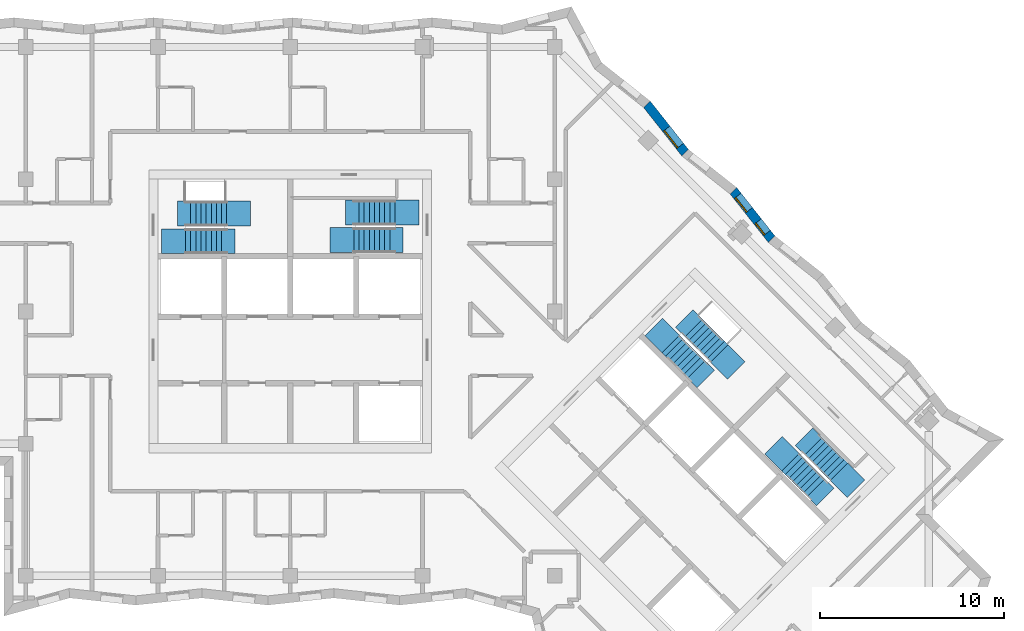
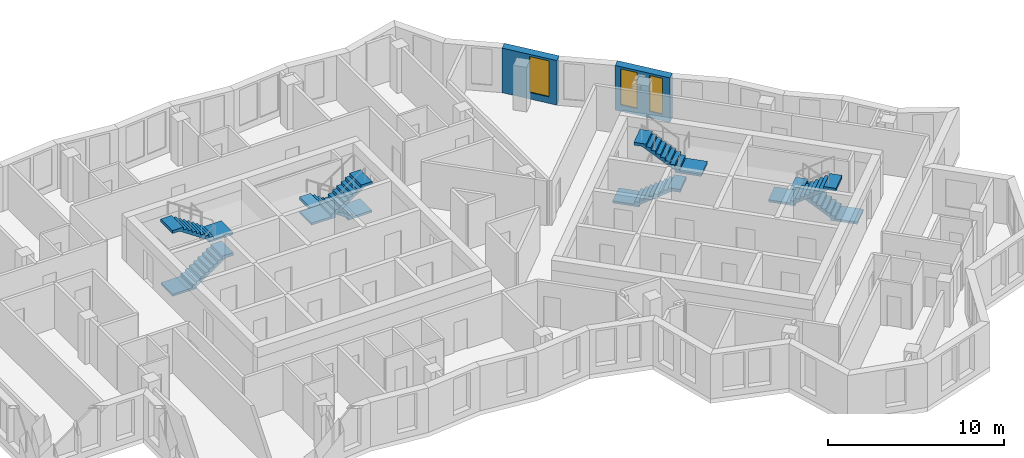
# One storey, part 10 of 12: 8 stair flights, 3 windows, 2 walls, 3 openings, 4 elements without a shape of their own.
"""IFC4 building model written with IfcOpenShell, lengths in metres."""

from ifc_helpers import new_model, si_unit, direction, frame, frame_2d, origin, place, context, subcontext, project, spatial, polyline, rectangle, outline, extrude, material, layer, layer_set, type_object, element, fill, aggregate, save


model = new_model("IFC4")

# Units and contexts
model_context = context("Model", 3, precision=1e-05, world=origin(), true_north=direction((0.0, 1.0)))
body_context = subcontext(model_context, "Body", "Model", "MODEL_VIEW")
ifc_project = project(units=[si_unit("LENGTHUNIT", "METRE"), si_unit("AREAUNIT", "SQUARE_METRE"), si_unit("VOLUMEUNIT", "CUBIC_METRE"), si_unit("PLANEANGLEUNIT", "RADIAN"), si_unit("MASSUNIT", "GRAM", prefix="KILO")], contexts=[model_context])

# Site, building, storey
site_placement = place(None, origin())
site = spatial("IfcSite", under=ifc_project, at=site_placement, CompositionType="ELEMENT")
building_placement = place(site_placement, origin())
building = spatial("IfcBuilding", under=site, at=building_placement, Name="Windrow Commons", CompositionType="ELEMENT")
storey_placement = place(building_placement, frame((0.0, 0.0, 199.8)))
storey = spatial("IfcBuildingStorey", under=building, at=storey_placement, Name="L54", CompositionType="ELEMENT", Elevation=199.8)

# Wall, openings, windows
ifc_material_1 = material(Name="Brick masonry, red clay brick", Category="masonry")
ifc_layer = layer(ifc_material_1, 0.5)
ifc_layer_set = layer_set([ifc_layer], Name="Brick facade wall 500")
wall_type = type_object("IfcWallType", Name="Brick facade wall 500", PredefinedType="SOLIDWALL", material=ifc_layer_set)
wall_1_placement = place(storey_placement, frame((91.0048, 61.5363, 0.0), z_axis=(0.0, 0.0, 1.0), x_axis=(-0.6198356984, 0.7847316147, 0.0)))
wall_1 = element("IfcWall", 1, at=wall_1_placement, inside=storey, type_object=wall_type, Name="Brick facade wall L54 12", PredefinedType="SOLIDWALL", context=body_context, shape_type="SweptSolid", body=[
    extrude(outline(polyline([(0.0293, -0.25), (3.383, -0.25), (3.3243, 0.25), (-0.0293, 0.25), (0.0293, -0.25)])), origin(), (0.0, 0.0, 1.0), 3.1),
])
opening_1_placement = place(wall_1_placement, frame((0.4165, 0.0, 0.45)))
opening_1 = element("IfcOpeningElement", 2, at=opening_1_placement, cuts=wall_1, Name="Opening W1N", PredefinedType="OPENING", context=body_context, shape_type="SweptSolid", body=[
    extrude(rectangle(XDim=0.8, YDim=2.5, at=frame_2d((0.4, 1.25))), frame((0.0, 0.26, 0.0), z_axis=(0.0, -1.0, 0.0), x_axis=(1.0, 0.0, 0.0)), (0.0, 0.0, 1.0), 0.52),
])
opening_2_placement = place(wall_1_placement, frame((1.9933, 0.0, 0.45)))
opening_2 = element("IfcOpeningElement", 3, at=opening_2_placement, cuts=wall_1, Name="Opening W1S", PredefinedType="OPENING", context=body_context, shape_type="SweptSolid", body=[
    extrude(rectangle(XDim=1.0, YDim=2.5, at=frame_2d((0.5, 1.25))), frame((0.0, 0.26, 0.0), z_axis=(0.0, -1.0, 0.0), x_axis=(1.0, 0.0, 0.0)), (0.0, 0.0, 1.0), 0.52),
])
ifc_material_2 = material(Name="Clear float glass in anodised aluminium frame", Category="aluminium")
window_type_1 = type_object("IfcWindowType", Name="Window W1N slit 800x2500", PartitioningType="SINGLE_PANEL", PredefinedType="WINDOW", material=ifc_material_2)
window_1_placement = place(opening_1_placement, origin())
window_1 = element("IfcWindow", 4, at=window_1_placement, inside=storey, type_object=window_type_1, Name="Window L54 12.1A", OverallHeight=2.5, OverallWidth=0.8, PartitioningType="SINGLE_PANEL", PredefinedType="WINDOW", context=body_context, shape_type="SweptSolid", body=[
    extrude(rectangle(XDim=0.8, YDim=2.5, at=frame_2d((0.4, 1.25))), frame((0.0, 0.18, 0.0), z_axis=(0.0, -1.0, 0.0), x_axis=(1.0, 0.0, 0.0)), (0.0, 0.0, 1.0), 0.06),
])
fill(opening_1, window_1)
ifc_material_3 = material(Name="Clear float glass in anodised aluminium frame", Category="aluminium")
window_type_2 = type_object("IfcWindowType", Name="Window W1S slit 1000x2500", PartitioningType="SINGLE_PANEL", PredefinedType="WINDOW", material=ifc_material_3)
window_2_placement = place(opening_2_placement, origin())
window_2 = element("IfcWindow", 5, at=window_2_placement, inside=storey, type_object=window_type_2, Name="Window L54 12.1B", OverallHeight=2.5, OverallWidth=1.0, PartitioningType="SINGLE_PANEL", PredefinedType="WINDOW", context=body_context, shape_type="SweptSolid", body=[
    extrude(rectangle(XDim=1.0, YDim=2.5, at=frame_2d((0.5, 1.25))), frame((0.0, 0.18, 0.0), z_axis=(0.0, -1.0, 0.0), x_axis=(1.0, 0.0, 0.0)), (0.0, 0.0, 1.0), 0.06),
])
fill(opening_2, window_2)

# Wall, opening, window
wall_2_placement = place(storey_placement, frame((86.2944, 66.2467, 0.0), z_axis=(0.0, 0.0, 1.0), x_axis=(-0.6198356984, 0.7847316147, 0.0)))
wall_2 = element("IfcWall", 6, at=wall_2_placement, inside=storey, type_object=wall_type, Name="Brick facade wall L54 14", PredefinedType="SOLIDWALL", context=body_context, shape_type="SweptSolid", body=[
    extrude(outline(polyline([(0.0293, -0.25), (3.383, -0.25), (3.3243, 0.25), (-0.0293, 0.25), (0.0293, -0.25)])), origin(), (0.0, 0.0, 1.0), 3.1),
])
opening_3_placement = place(wall_2_placement, frame((0.4488, 0.0, 0.45)))
opening_3 = element("IfcOpeningElement", 7, at=opening_3_placement, cuts=wall_2, Name="Opening W7E", PredefinedType="OPENING", context=body_context, shape_type="SweptSolid", body=[
    extrude(rectangle(XDim=1.2, YDim=2.5, at=frame_2d((0.6, 1.25))), frame((0.0, 0.26, 0.0), z_axis=(0.0, -1.0, 0.0), x_axis=(1.0, 0.0, 0.0)), (0.0, 0.0, 1.0), 0.52),
])
ifc_material_4 = material(Name="Clear float glass in anodised aluminium frame", Category="aluminium")
window_type_3 = type_object("IfcWindowType", Name="Window W7 notch 1200x2500", PartitioningType="SINGLE_PANEL", PredefinedType="WINDOW", material=ifc_material_4)
window_3_placement = place(opening_3_placement, origin())
window_3 = element("IfcWindow", 8, at=window_3_placement, inside=storey, type_object=window_type_3, Name="Window L54 14.1", OverallHeight=2.5, OverallWidth=1.2, PartitioningType="SINGLE_PANEL", PredefinedType="WINDOW", context=body_context, shape_type="SweptSolid", body=[
    extrude(rectangle(XDim=1.2, YDim=2.5, at=frame_2d((0.6, 1.25))), frame((0.0, 0.18, 0.0), z_axis=(0.0, -1.0, 0.0), x_axis=(1.0, 0.0, 0.0)), (0.0, 0.0, 1.0), 0.06),
])
fill(opening_3, window_3)

# Stair, stair flights
ifc_material_5 = material(Name="Concrete C40/50", Category="concrete")
stair_type = type_object("IfcStairType", Name="Core stair", PredefinedType="HALF_TURN_STAIR", material=ifc_material_5)
placement = place(storey_placement, origin())
stair_1 = element("IfcStair", 9, at=placement, inside=storey, type_object=stair_type, Name="L54 Exit stair A1 core A", PredefinedType="HALF_TURN_STAIR")
ifc_material_6 = material(Name="Concrete C40/50", Category="concrete")
stair_flight_type = type_object("IfcStairFlightType", Name="Core stair flight", PredefinedType="STRAIGHT", material=ifc_material_6)
stair_flight_1_placement = place(storey_placement, frame((59.1, 61.425, 0.0), z_axis=(0.0, 0.0, 1.0), x_axis=(1.0, 0.0, 0.0)))
stair_flight_1 = element("IfcStairFlight", 10, at=stair_flight_1_placement, type_object=stair_flight_type, Name="ST-A1 flight 1", NumberOfRisers=9, NumberOfTreads=8, PredefinedType="STRAIGHT", RiserHeight=0.188888889, TreadLength=0.28, context=body_context, shape_type="SweptSolid", body=[
    extrude(outline(polyline([(-1.3, -0.15), (-1.3, 0.0), (0.0, 0.0), (0.0, 0.1889), (0.28, 0.1889), (0.28, 0.3778), (0.56, 0.3778), (0.56, 0.5667), (0.84, 0.5667), (0.84, 0.7556), (1.12, 0.7556), (1.12, 0.9444), (1.4, 0.9444), (1.4, 1.1333), (1.68, 1.1333), (1.68, 1.3222), (1.96, 1.3222), (1.96, 1.5111), (2.24, 1.5111), (2.69, 1.5111), (2.69, 1.3111), (2.24, 1.3111), (2.24, 1.3302), (0.2682, 0.0), (0.2682, -0.15), (-1.3, -0.15)])), frame((0.0, 0.675, 0.0), z_axis=(0.0, -1.0, 0.0), x_axis=(1.0, 0.0, 0.0)), (0.0, 0.0, 1.0), 1.35),
])
stair_flight_2_placement = place(storey_placement, frame((61.34, 62.925, 1.7), z_axis=(0.0, 0.0, 1.0), x_axis=(-1.0, 0.0, 0.0)))
stair_flight_2 = element("IfcStairFlight", 11, at=stair_flight_2_placement, type_object=stair_flight_type, Name="ST-A1 flight 2", NumberOfRisers=9, NumberOfTreads=8, PredefinedType="STRAIGHT", RiserHeight=0.188888889, TreadLength=0.28, context=body_context, shape_type="SweptSolid", body=[
    extrude(outline(polyline([(-1.3, -0.15), (-1.3, 0.0), (0.0, 0.0), (0.0, 0.1889), (0.28, 0.1889), (0.28, 0.3778), (0.56, 0.3778), (0.56, 0.5667), (0.84, 0.5667), (0.84, 0.7556), (1.12, 0.7556), (1.12, 0.9444), (1.4, 0.9444), (1.4, 1.1333), (1.68, 1.1333), (1.68, 1.3222), (1.96, 1.3222), (1.96, 1.5111), (2.24, 1.5111), (2.69, 1.5111), (2.69, 1.3111), (2.24, 1.3111), (2.24, 1.3302), (0.2682, 0.0), (0.2682, -0.15), (-1.3, -0.15)])), frame((0.0, 0.675, 0.0), z_axis=(0.0, -1.0, 0.0), x_axis=(1.0, 0.0, 0.0)), (0.0, 0.0, 1.0), 1.35),
])
aggregate(stair_1, [stair_flight_1, stair_flight_2])

stair_2 = element("IfcStair", 12, at=placement, inside=storey, type_object=stair_type, Name="L54 Exit stair A2 core A", PredefinedType="HALF_TURN_STAIR")
stair_flight_3_placement = place(storey_placement, frame((70.5, 62.98, 0.0), z_axis=(0.0, 0.0, 1.0), x_axis=(-1.0, 0.0, 0.0)))
stair_flight_3 = element("IfcStairFlight", 13, at=stair_flight_3_placement, type_object=stair_flight_type, Name="ST-A2 flight 1", NumberOfRisers=9, NumberOfTreads=8, PredefinedType="STRAIGHT", RiserHeight=0.188888889, TreadLength=0.28, context=body_context, shape_type="SweptSolid", body=[
    extrude(outline(polyline([(-1.3, -0.15), (-1.3, 0.0), (0.0, 0.0), (0.0, 0.1889), (0.28, 0.1889), (0.28, 0.3778), (0.56, 0.3778), (0.56, 0.5667), (0.84, 0.5667), (0.84, 0.7556), (1.12, 0.7556), (1.12, 0.9444), (1.4, 0.9444), (1.4, 1.1333), (1.68, 1.1333), (1.68, 1.3222), (1.96, 1.3222), (1.96, 1.5111), (2.24, 1.5111), (2.69, 1.5111), (2.69, 1.3111), (2.24, 1.3111), (2.24, 1.3302), (0.2682, 0.0), (0.2682, -0.15), (-1.3, -0.15)])), frame((0.0, 0.675, 0.0), z_axis=(0.0, -1.0, 0.0), x_axis=(1.0, 0.0, 0.0)), (0.0, 0.0, 1.0), 1.35),
])
stair_flight_4_placement = place(storey_placement, frame((68.26, 61.48, 1.7), z_axis=(0.0, 0.0, 1.0), x_axis=(1.0, 0.0, 0.0)))
stair_flight_4 = element("IfcStairFlight", 14, at=stair_flight_4_placement, type_object=stair_flight_type, Name="ST-A2 flight 2", NumberOfRisers=9, NumberOfTreads=8, PredefinedType="STRAIGHT", RiserHeight=0.188888889, TreadLength=0.28, context=body_context, shape_type="SweptSolid", body=[
    extrude(outline(polyline([(-1.3, -0.15), (-1.3, 0.0), (0.0, 0.0), (0.0, 0.1889), (0.28, 0.1889), (0.28, 0.3778), (0.56, 0.3778), (0.56, 0.5667), (0.84, 0.5667), (0.84, 0.7556), (1.12, 0.7556), (1.12, 0.9444), (1.4, 0.9444), (1.4, 1.1333), (1.68, 1.1333), (1.68, 1.3222), (1.96, 1.3222), (1.96, 1.5111), (2.24, 1.5111), (2.69, 1.5111), (2.69, 1.3111), (2.24, 1.3111), (2.24, 1.3302), (0.2682, 0.0), (0.2682, -0.15), (-1.3, -0.15)])), frame((0.0, 0.675, 0.0), z_axis=(0.0, -1.0, 0.0), x_axis=(1.0, 0.0, 0.0)), (0.0, 0.0, 1.0), 1.35),
])
aggregate(stair_2, [stair_flight_3, stair_flight_4])

stair_3 = element("IfcStair", 15, at=placement, inside=storey, type_object=stair_type, Name="L54 Exit stair B1 core B", PredefinedType="HALF_TURN_STAIR")
stair_flight_5_placement = place(storey_placement, frame((85.5109, 55.8249, 0.0), z_axis=(0.0, 0.0, 1.0), x_axis=(0.7071067812, -0.7071067812, 0.0)))
stair_flight_5 = element("IfcStairFlight", 16, at=stair_flight_5_placement, type_object=stair_flight_type, Name="ST-B1 flight 1", NumberOfRisers=9, NumberOfTreads=8, PredefinedType="STRAIGHT", RiserHeight=0.188888889, TreadLength=0.28, context=body_context, shape_type="SweptSolid", body=[
    extrude(outline(polyline([(-1.3, -0.15), (-1.3, 0.0), (0.0, 0.0), (0.0, 0.1889), (0.28, 0.1889), (0.28, 0.3778), (0.56, 0.3778), (0.56, 0.5667), (0.84, 0.5667), (0.84, 0.7556), (1.12, 0.7556), (1.12, 0.9444), (1.4, 0.9444), (1.4, 1.1333), (1.68, 1.1333), (1.68, 1.3222), (1.96, 1.3222), (1.96, 1.5111), (2.24, 1.5111), (2.69, 1.5111), (2.69, 1.3111), (2.24, 1.3111), (2.24, 1.3302), (0.2682, 0.0), (0.2682, -0.15), (-1.3, -0.15)])), frame((0.0, 0.675, 0.0), z_axis=(0.0, -1.0, 0.0), x_axis=(1.0, 0.0, 0.0)), (0.0, 0.0, 1.0), 1.35),
])
stair_flight_6_placement = place(storey_placement, frame((88.1555, 55.3017, 1.7), z_axis=(0.0, 0.0, 1.0), x_axis=(-0.7071067812, 0.7071067812, 0.0)))
stair_flight_6 = element("IfcStairFlight", 17, at=stair_flight_6_placement, type_object=stair_flight_type, Name="ST-B1 flight 2", NumberOfRisers=9, NumberOfTreads=8, PredefinedType="STRAIGHT", RiserHeight=0.188888889, TreadLength=0.28, context=body_context, shape_type="SweptSolid", body=[
    extrude(outline(polyline([(-1.3, -0.15), (-1.3, 0.0), (0.0, 0.0), (0.0, 0.1889), (0.28, 0.1889), (0.28, 0.3778), (0.56, 0.3778), (0.56, 0.5667), (0.84, 0.5667), (0.84, 0.7556), (1.12, 0.7556), (1.12, 0.9444), (1.4, 0.9444), (1.4, 1.1333), (1.68, 1.1333), (1.68, 1.3222), (1.96, 1.3222), (1.96, 1.5111), (2.24, 1.5111), (2.69, 1.5111), (2.69, 1.3111), (2.24, 1.3111), (2.24, 1.3302), (0.2682, 0.0), (0.2682, -0.15), (-1.3, -0.15)])), frame((0.0, 0.675, 0.0), z_axis=(0.0, -1.0, 0.0), x_axis=(1.0, 0.0, 0.0)), (0.0, 0.0, 1.0), 1.35),
])
aggregate(stair_3, [stair_flight_5, stair_flight_6])

stair_4 = element("IfcStair", 18, at=placement, inside=storey, type_object=stair_type, Name="L54 Exit stair B2 core B", PredefinedType="HALF_TURN_STAIR")
stair_flight_7_placement = place(storey_placement, frame((94.6715, 48.8635, 0.0), z_axis=(0.0, 0.0, 1.0), x_axis=(-0.7071067812, 0.7071067812, 0.0)))
stair_flight_7 = element("IfcStairFlight", 19, at=stair_flight_7_placement, type_object=stair_flight_type, Name="ST-B2 flight 1", NumberOfRisers=9, NumberOfTreads=8, PredefinedType="STRAIGHT", RiserHeight=0.188888889, TreadLength=0.28, context=body_context, shape_type="SweptSolid", body=[
    extrude(outline(polyline([(-1.3, -0.15), (-1.3, 0.0), (0.0, 0.0), (0.0, 0.1889), (0.28, 0.1889), (0.28, 0.3778), (0.56, 0.3778), (0.56, 0.5667), (0.84, 0.5667), (0.84, 0.7556), (1.12, 0.7556), (1.12, 0.9444), (1.4, 0.9444), (1.4, 1.1333), (1.68, 1.1333), (1.68, 1.3222), (1.96, 1.3222), (1.96, 1.5111), (2.24, 1.5111), (2.69, 1.5111), (2.69, 1.3111), (2.24, 1.3111), (2.24, 1.3302), (0.2682, 0.0), (0.2682, -0.15), (-1.3, -0.15)])), frame((0.0, 0.675, 0.0), z_axis=(0.0, -1.0, 0.0), x_axis=(1.0, 0.0, 0.0)), (0.0, 0.0, 1.0), 1.35),
])
stair_flight_8_placement = place(storey_placement, frame((92.0269, 49.3867, 1.7), z_axis=(0.0, 0.0, 1.0), x_axis=(0.7071067812, -0.7071067812, 0.0)))
stair_flight_8 = element("IfcStairFlight", 20, at=stair_flight_8_placement, type_object=stair_flight_type, Name="ST-B2 flight 2", NumberOfRisers=9, NumberOfTreads=8, PredefinedType="STRAIGHT", RiserHeight=0.188888889, TreadLength=0.28, context=body_context, shape_type="SweptSolid", body=[
    extrude(outline(polyline([(-1.3, -0.15), (-1.3, 0.0), (0.0, 0.0), (0.0, 0.1889), (0.28, 0.1889), (0.28, 0.3778), (0.56, 0.3778), (0.56, 0.5667), (0.84, 0.5667), (0.84, 0.7556), (1.12, 0.7556), (1.12, 0.9444), (1.4, 0.9444), (1.4, 1.1333), (1.68, 1.1333), (1.68, 1.3222), (1.96, 1.3222), (1.96, 1.5111), (2.24, 1.5111), (2.69, 1.5111), (2.69, 1.3111), (2.24, 1.3111), (2.24, 1.3302), (0.2682, 0.0), (0.2682, -0.15), (-1.3, -0.15)])), frame((0.0, 0.675, 0.0), z_axis=(0.0, -1.0, 0.0), x_axis=(1.0, 0.0, 0.0)), (0.0, 0.0, 1.0), 1.35),
])
aggregate(stair_4, [stair_flight_7, stair_flight_8])

save(model, "model.ifc")
